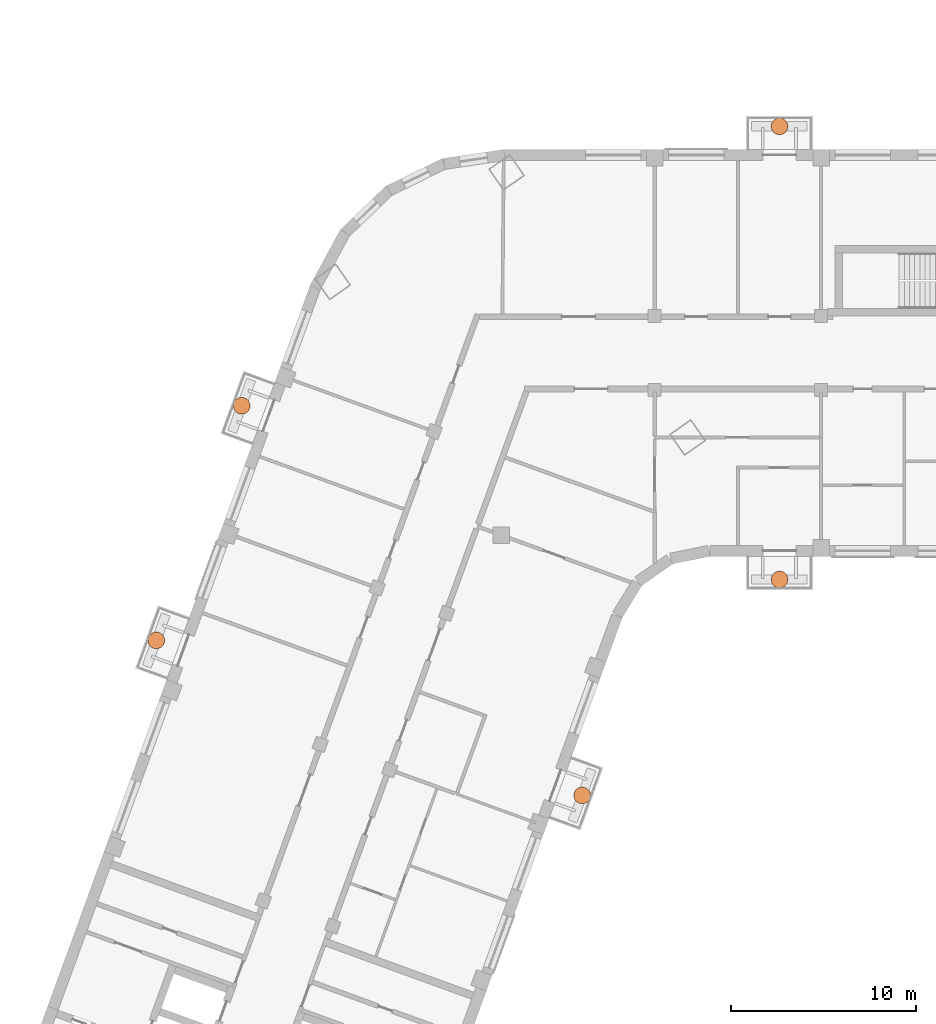
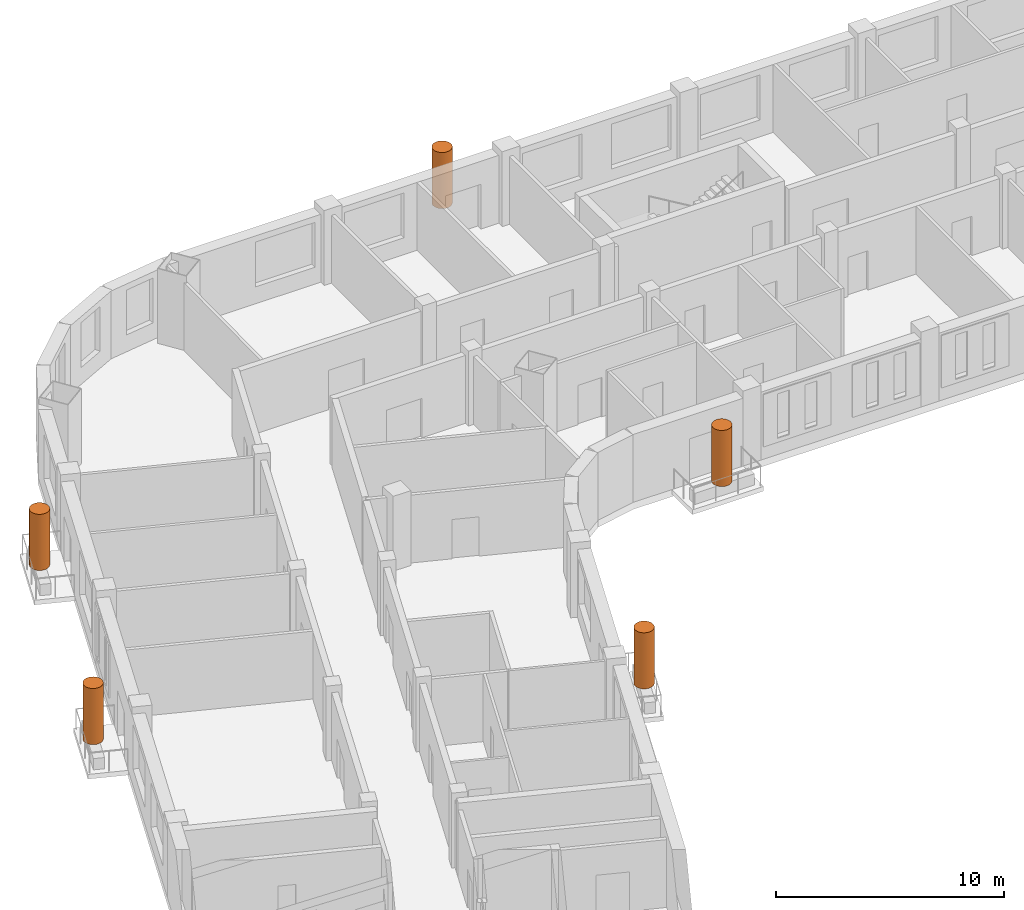
# One storey, part 16 of 16: 5 geographic elements.
"""IFC4 building model written with IfcOpenShell, lengths in metres."""

import ifcopenshell
import ifcopenshell.guid

model = None  # the IFC model being written
_history = None  # IfcOwnerHistory: only IFC2X3 demands one
_inside = {}  # id of a spatial element -> (the spatial element, [elements in it])
_under = {}  # id of a project, library or spatial element -> (it, [spatial elements below it])
_declared = {}  # id of a project -> (the project, [libraries it declares])
_typed = {}  # id of a type object -> (the type object, [elements of that type])
_made_of = {}  # id of a material, layer set ... -> (it, [elements and type objects made of it])


def new_model(schema):
    """Start an empty IFC model of exactly this schema.

    Asked for "IFC4X3", IfcOpenShell would pick the latest addendum, in which some entities
    have other attributes; the version numbers below select the first issue.
    IFC2X3 requires an IfcOwnerHistory on every rooted entity: one is made here for all.
    """
    global model, _history
    if schema == "IFC4X3":
        model = ifcopenshell.file(schema_version=(4, 3, 0, 0))
    else:
        model = ifcopenshell.file(schema=schema)
    _inside.clear()
    _under.clear()
    _declared.clear()
    _typed.clear()
    _made_of.clear()
    _history = None
    if model.schema == "IFC2X3":
        org = make("IfcOrganization", Name="unknown")
        user = make(
            "IfcPersonAndOrganization",
            ThePerson=make("IfcPerson", FamilyName="unknown"),
            TheOrganization=org,
        )
        app = make(
            "IfcApplication",
            ApplicationDeveloper=org,
            Version="unknown",
            ApplicationFullName="unknown",
            ApplicationIdentifier="unknown",
        )
        _history = make(
            "IfcOwnerHistory",
            OwningUser=user,
            OwningApplication=app,
            ChangeAction="ADDED",
            CreationDate=0,
        )
    return model


def make(cls, **values):
    """One entity of the class cls with the attributes given. An attribute that is None is left unset."""
    return model.create_entity(
        cls, **{name: value for name, value in values.items() if value is not None}
    )


def rooted(cls, **values):
    """An entity with a GlobalId (a new one), such as an element, a storey or a relation."""
    return make(cls, GlobalId=ifcopenshell.guid.new(), OwnerHistory=_history, **values)


def si_unit(unit_type, name, prefix=None):
    """IfcSIUnit, for example si_unit("LENGTHUNIT", "METRE", prefix="MILLI")."""
    return make("IfcSIUnit", UnitType=unit_type, Prefix=prefix, Name=name)


def assignment(units):
    """IfcUnitAssignment: the units of a project."""
    return None if units is None else make("IfcUnitAssignment", Units=units)


def point(xyz):
    """IfcCartesianPoint."""
    return None if xyz is None else make("IfcCartesianPoint", Coordinates=xyz)


def direction(xyz):
    """IfcDirection."""
    return None if xyz is None else make("IfcDirection", DirectionRatios=xyz)


def frame(location, z_axis=None, x_axis=None):
    """IfcAxis2Placement3D, a coordinate frame: its origin and axes. An axis left out is left unset."""
    return make(
        "IfcAxis2Placement3D",
        Location=point(location),
        Axis=direction(z_axis),
        RefDirection=direction(x_axis),
    )


def frame_2d(location, x_axis=None):
    """IfcAxis2Placement2D, a coordinate frame in the plane: its origin and x axis."""
    return make(
        "IfcAxis2Placement2D", Location=point(location), RefDirection=direction(x_axis)
    )


def origin():
    """The frame at (0, 0, 0) with its axes left unset."""
    return frame((0.0, 0.0, 0.0))


def origin_2d():
    """The frame at (0, 0) in the plane with its x axis left unset."""
    return frame_2d((0.0, 0.0))


def place(relative_to, where):
    """IfcLocalPlacement: puts the frame where relative to a parent placement (None: the world)."""
    return make(
        "IfcLocalPlacement", PlacementRelTo=relative_to, RelativePlacement=where
    )


def context(
    kind, dimensions, precision=None, world=None, true_north=None, identifier=None
):
    """IfcGeometricRepresentationContext, for example the 3D "Model" context."""
    return make(
        "IfcGeometricRepresentationContext",
        ContextIdentifier=identifier,
        ContextType=kind,
        CoordinateSpaceDimension=dimensions,
        Precision=precision,
        WorldCoordinateSystem=world,
        TrueNorth=true_north,
    )


def subcontext(parent, identifier, kind, view, scale=None):
    """IfcGeometricRepresentationSubContext, for example "Body" below "Model"."""
    return make(
        "IfcGeometricRepresentationSubContext",
        ContextIdentifier=identifier,
        ContextType=kind,
        ParentContext=parent,
        TargetScale=scale,
        TargetView=view,
    )


def project(units=None, contexts=None):
    """IfcProject with its units and contexts."""
    return rooted(
        "IfcProject",
        Name="project",
        RepresentationContexts=contexts,
        UnitsInContext=assignment(units),
    )


def spatial(cls, under=None, at=None, **own):
    """A site, building, storey or space (cls), placed at a placement, below another one or the project."""
    s = rooted(cls, ObjectPlacement=at, **own)
    if under is not None:
        _under.setdefault(under.id(), (under, []))[1].append(s)
    return s


def profile(cls, at=None, kind="AREA", **sizes):
    """A parametric profile (cls). Its sizes go by their IFC names, for example OverallWidth=200.0."""
    return make(cls, ProfileType=kind, Position=at, **sizes)


def circle(**sizes):
    """IfcCircleProfileDef."""
    return profile("IfcCircleProfileDef", **sizes)


def extrude(swept, where, along, depth):
    """IfcExtrudedAreaSolid: the profile swept, set in the frame where, extruded along a direction by depth."""
    return make(
        "IfcExtrudedAreaSolid",
        SweptArea=swept,
        Position=where,
        ExtrudedDirection=direction(along),
        Depth=depth,
    )


def shape(context_of_items, identifier, shape_type, items):
    """IfcShapeRepresentation: the items that make up one representation, for example the "Body"."""
    return make(
        "IfcShapeRepresentation",
        ContextOfItems=context_of_items,
        RepresentationIdentifier=identifier,
        RepresentationType=shape_type,
        Items=items,
    )


def made_of(thing, what):
    """Note that an element or type object is made of a material, layer set ...; save() writes the relation."""
    if what is not None:
        _made_of.setdefault(what.id(), (what, []))[1].append(thing)
    return thing


def element(
    cls,
    number,
    at=None,
    inside=None,
    cuts=None,
    type_object=None,
    material=None,
    context=None,
    identifier="Body",
    shape_type=None,
    held_by="IfcProductDefinitionShape",
    body=None,
    shapes=None,
    **own,
):
    """One element of the class cls, such as IfcWall. Its Tag is "e" and its number.

    at: its placement. inside: the storey or other place that contains it. cuts: it is an
    opening in that element (IfcRelVoidsElement). A single representation is given by context,
    identifier, shape_type and body (its items); several are given by shapes. held_by: the class
    of the entity that holds the representations. save() writes the other relations.
    """
    e = rooted(cls, Tag="e%d" % number, ObjectPlacement=at, **own)
    if body is not None:
        shapes = [shape(context, identifier, shape_type, body)]
    if shapes is not None:
        e.Representation = make(held_by, Representations=shapes)
    if inside is not None:
        _inside.setdefault(inside.id(), (inside, []))[1].append(e)
    if cuts is not None:
        rooted(
            "IfcRelVoidsElement", RelatingBuildingElement=cuts, RelatedOpeningElement=e
        )
    if type_object is not None:
        _typed.setdefault(type_object.id(), (type_object, []))[1].append(e)
    return made_of(e, material)


def aggregate(whole, parts):
    """IfcRelAggregates: a whole, such as a stair, and the parts it consists of."""
    return rooted("IfcRelAggregates", RelatingObject=whole, RelatedObjects=parts)


def save(model, path):
    """Write the relations noted so far, then the file.

    IfcRelAggregates (storeys below a building ...), IfcRelContainedInSpatialStructure (elements
    in a storey), IfcRelDefinesByType, IfcRelAssociatesMaterial and IfcRelDeclares: one each for
    every whole, place, type object, material and project.
    """
    for whole, parts in _under.values():
        aggregate(whole, parts)
    for where, things in _inside.values():
        rooted(
            "IfcRelContainedInSpatialStructure",
            RelatedElements=things,
            RelatingStructure=where,
        )
    for kind, things in _typed.values():
        rooted("IfcRelDefinesByType", RelatedObjects=things, RelatingType=kind)
    for what, things in _made_of.values():
        rooted("IfcRelAssociatesMaterial", RelatedObjects=things, RelatingMaterial=what)
    for by, libraries in _declared.values():
        rooted("IfcRelDeclares", RelatingContext=by, RelatedDefinitions=libraries)
    model.write(path)


model = new_model("IFC4")

# Units and contexts
model_context = context("Model", 3, precision=1e-05, world=origin(), true_north=direction((0.0, 1.0)))
body_context = subcontext(model_context, "Body", "Model", "MODEL_VIEW")
ifc_project = project(units=[si_unit("LENGTHUNIT", "METRE"), si_unit("AREAUNIT", "SQUARE_METRE"), si_unit("VOLUMEUNIT", "CUBIC_METRE"), si_unit("PLANEANGLEUNIT", "RADIAN"), si_unit("MASSUNIT", "GRAM", prefix="KILO")], contexts=[model_context])

# Site, building, storey
site_placement = place(None, origin())
site = spatial("IfcSite", under=ifc_project, at=site_placement, CompositionType="ELEMENT")
building_placement = place(site_placement, origin())
building = spatial("IfcBuilding", under=site, at=building_placement, Name="Skarvind Civic Tower", CompositionType="ELEMENT")
storey_placement = place(building_placement, frame((0.0, 0.0, 67.5)))
storey = spatial("IfcBuildingStorey", under=building, at=storey_placement, Name="L15", CompositionType="ELEMENT", Elevation=67.5)

# Geographic elements
for number, where, z_axis, x_axis, name in (
    (1, (50.328857421875, 104.07666015625, 0.60009765625), (0.0, 0.0, 1.0), (1.0, 0.0, 0.0), "TREE BALCONY TREE"),
    (2, (61.0, 115.75, 0.60009765625), (0.0, 0.0, 1.0), (1.0, 0.0, 0.0), "TREE BALCONY TREE"),
    (3, (61.0, 140.25, 0.60009765625), (0.0, 0.0, 1.0), (1.0, 0.0, 0.0), "TREE BALCONY TREE"),
    (4, (27.306396484375, 112.456298828125, 0.60009765625), (0.0, 0.0, 1.0), (1.0, 0.0, 0.0), "TREE BALCONY TREE"),
    (5, (31.923583984375, 125.14208984375, 0.60009765625), (0.0, 0.0, 1.0), (1.0, 0.0, 0.0), "TREE BALCONY TREE"),
):
    element("IfcGeographicElement", number, at=place(storey_placement, frame(where, z_axis=z_axis, x_axis=x_axis)), inside=storey, Name=name, ObjectType="TREE", PredefinedType="USERDEFINED", context=body_context, shape_type="SweptSolid", body=[
        extrude(circle(Radius=0.449951171875, at=origin_2d()), origin(), (0.0, 0.0, 1.0), 3.0),
    ])

save(model, "model.ifc")
